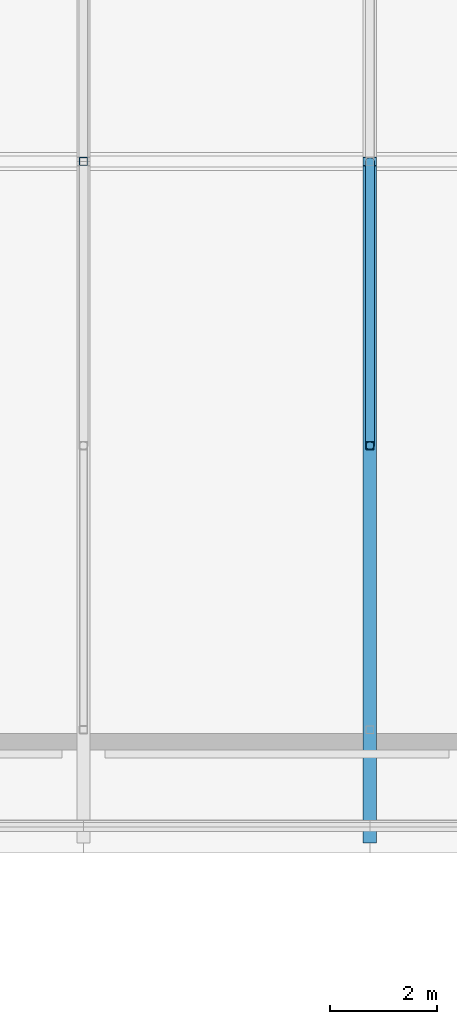
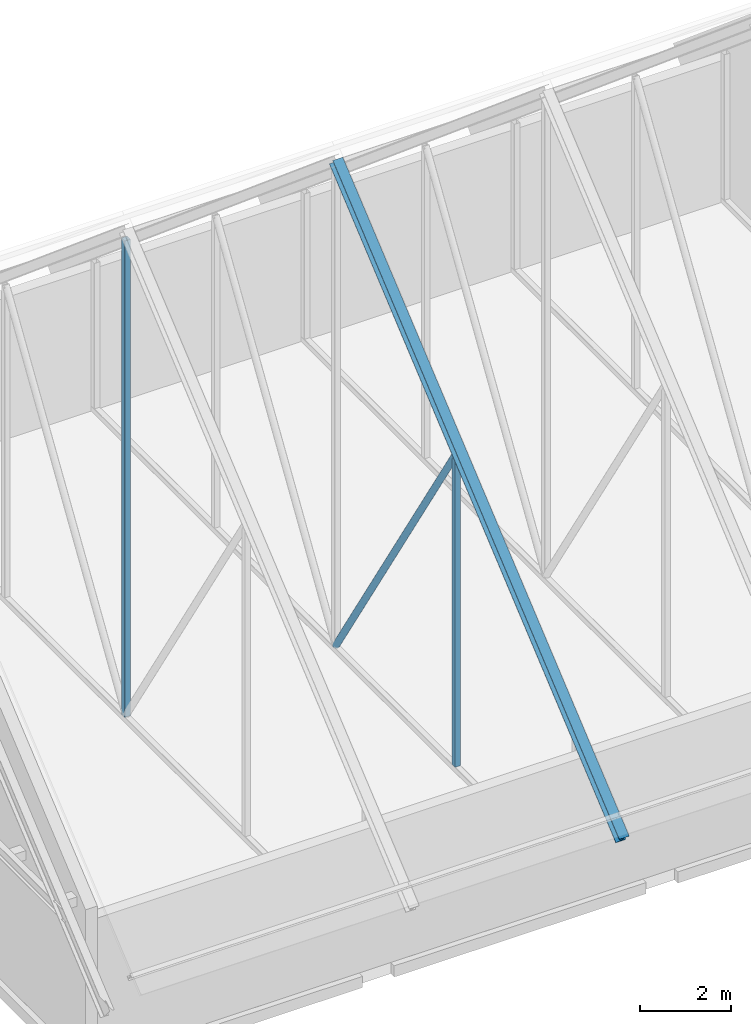
# One storey, part 5 of 29: 4 members.
"""IFC4 building model written with IfcOpenShell, lengths in metres."""

from ifc_helpers import new_model, si_unit, direction, frame, origin, origin_2d, place, context, subcontext, project, spatial, hollow_rectangle, hollow_circle, i_section, extrude, material, material_profile, profile_set, type_object, element, save


model = new_model("IFC4")

# Units and contexts
model_context = context("Model", 3, precision=1e-05, world=origin(), true_north=direction((0.0, 1.0)))
body_context = subcontext(model_context, "Body", "Model", "MODEL_VIEW")
ifc_project = project(units=[si_unit("LENGTHUNIT", "METRE"), si_unit("AREAUNIT", "SQUARE_METRE"), si_unit("VOLUMEUNIT", "CUBIC_METRE"), si_unit("PLANEANGLEUNIT", "RADIAN"), si_unit("MASSUNIT", "GRAM", prefix="KILO")], contexts=[model_context])

# Site, building, storey
site_placement = place(None, origin())
site = spatial("IfcSite", under=ifc_project, at=site_placement, CompositionType="ELEMENT")
building_placement = place(site_placement, origin())
building = spatial("IfcBuilding", under=site, at=building_placement, Name="Silangan Lancet Faculty of Sciences", CompositionType="ELEMENT")
storey_placement = place(building_placement, frame((0.0, 0.0, 54.300048828125)))
storey = spatial("IfcBuildingStorey", under=building, at=storey_placement, Name="L11", CompositionType="ELEMENT", Elevation=54.300048828125)

# Members
ifc_material_1 = material(Name="Steel STK400", Category="steel")
ifc_material_profile_1 = material_profile(ifc_material_1, hollow_circle(Radius=0.08251953125, WallThickness=0.0048828125, at=origin_2d()), Name="CHS 165.2x5.0")
ifc_profile_set_1 = profile_set([ifc_material_profile_1], Name="Steel STK400")
member_type_1 = type_object("IfcMemberType", Name="Truss diagonal CHS 165.2x5.0", PredefinedType="BRACE", material=ifc_profile_set_1)
member_1_placement = place(storey_placement, frame((12.53125, 46.800048828125, 0.14990234375), z_axis=(0.0, -0.535296081425, 0.84466449269), x_axis=(1.0, 0.0, 0.0)))
element("IfcMember", 1, at=member_1_placement, inside=storey, type_object=member_type_1, Name="Gable truss 2 diagonal S", PredefinedType="BRACE", context=body_context, shape_type="SweptSolid", body=[
    extrude(hollow_circle(Radius=0.08251953125, WallThickness=0.0048828125, at=origin_2d()), origin(), (0.0, 0.0, 1.0), 9.8779296875),
])
ifc_material_2 = material(Name="Steel STKR400", Category="steel")
ifc_material_profile_2 = material_profile(ifc_material_2, hollow_rectangle(XDim=0.14990234375, YDim=0.14990234375, WallThickness=0.006103515625, InnerFilletRadius=0.006103515625, OuterFilletRadius=0.011962890625, at=origin_2d()), Name="SHS 150x150x6.0")
ifc_profile_set_2 = profile_set([ifc_material_profile_2], Name="Steel STKR400")
member_type_2 = type_object("IfcMemberType", Name="Truss post SHS 150x150x6.0", PredefinedType="POST", material=ifc_profile_set_2)
member_2_placement = place(storey_placement, frame((7.199951171875, 46.800048828125, 0.14990234375), z_axis=(0.0, 0.0, 1.0), x_axis=(1.0, 0.0, 0.0)))
element("IfcMember", 2, at=member_2_placement, inside=storey, type_object=member_type_2, Name="Gable truss 1 king post", PredefinedType="POST", context=body_context, shape_type="SweptSolid", body=[
    extrude(hollow_rectangle(XDim=0.14990234375, YDim=0.14990234375, WallThickness=0.006103515625, InnerFilletRadius=0.006103515625, OuterFilletRadius=0.011962890625, at=origin_2d()), origin(), (0.0, 0.0, 1.0), 12.78515625),
])
member_3_placement = place(storey_placement, frame((12.53125, 41.512451171875, 0.14990234375), z_axis=(0.0, 0.0, 1.0), x_axis=(1.0, 0.0, 0.0)))
element("IfcMember", 3, at=member_3_placement, inside=storey, type_object=member_type_2, Name="Gable truss 2 mid post S", PredefinedType="POST", context=body_context, shape_type="SweptSolid", body=[
    extrude(hollow_rectangle(XDim=0.14990234375, YDim=0.14990234375, WallThickness=0.006103515625, InnerFilletRadius=0.006103515625, OuterFilletRadius=0.011962890625, at=origin_2d()), origin(), (0.0, 0.0, 1.0), 8.343505859375),
])
ifc_material_3 = material(Name="Steel SS400", Category="steel")
ifc_material_profile_3 = material_profile(ifc_material_3, i_section(OverallWidth=0.25, OverallDepth=0.25, WebThickness=0.009033203125, FlangeThickness=0.013916015625, FilletRadius=0.01611328125, at=origin_2d()), Name="H 250x250x9x14")
ifc_profile_set_3 = profile_set([ifc_material_profile_3], Name="Steel SS400")
member_type_3 = type_object("IfcMemberType", Name="Truss top chord H 250x250x9x14", PredefinedType="CHORD", material=ifc_profile_set_3)
member_4_placement = place(storey_placement, frame((12.53125, 34.199951171875, 2.5771484375), z_axis=(0.0, 0.765707787529, 0.643188606955), x_axis=(-1.0, 0.0, 0.0)))
element("IfcMember", 4, at=member_4_placement, inside=storey, type_object=member_type_3, Name="Gable truss 2 rafter S", PredefinedType="CHORD", context=body_context, shape_type="SweptSolid", body=[
    extrude(i_section(OverallWidth=0.25, OverallDepth=0.25, WebThickness=0.009033203125, FlangeThickness=0.013916015625, FilletRadius=0.01611328125, at=origin_2d()), origin(), (0.0, 0.0, 1.0), 16.45556640625),
])

save(model, "model.ifc")
